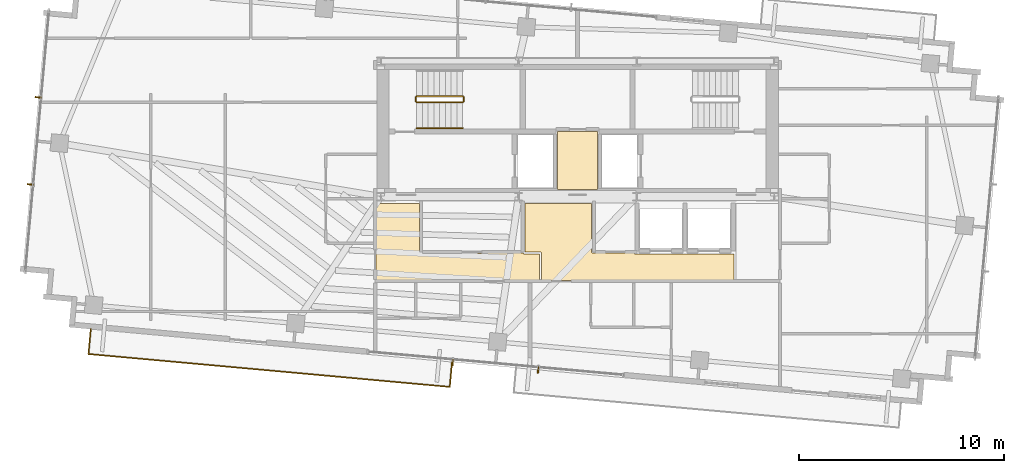
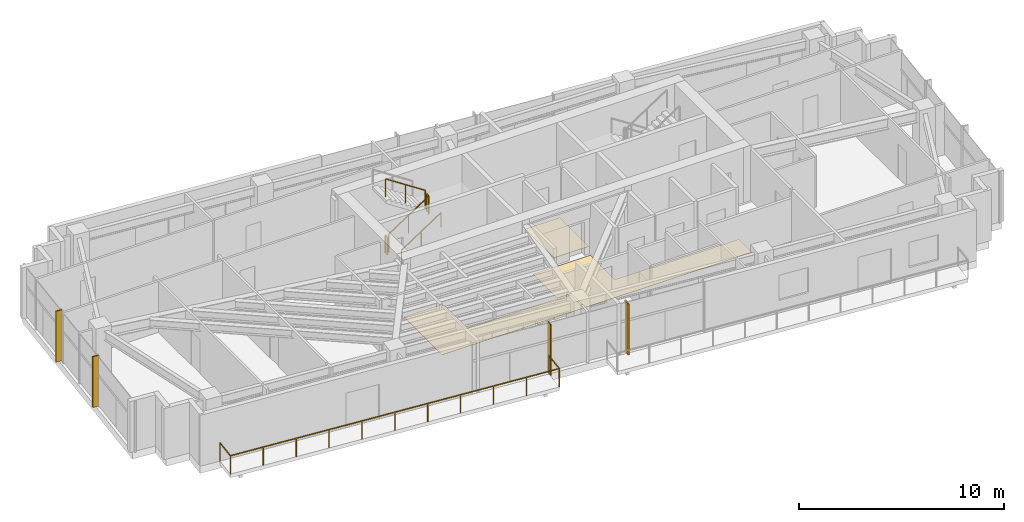
# One storey, part 20 of 22: 6 railings, 4 shading devices, 3 coverings.
"""IFC4 building model written with IfcOpenShell, lengths in metres."""

from ifc_helpers import new_model, si_unit, direction, frame, origin, origin_2d, place, context, subcontext, project, spatial, polyline, rectangle, outline, extrude, source, transform, mapped, material, layer, layer_set, type_object, type_shapes, element, save


model = new_model("IFC4")

# Units and contexts
model_context = context("Model", 3, precision=1e-05, world=origin(), true_north=direction((0.0, 1.0)))
body_context = subcontext(model_context, "Body", "Model", "MODEL_VIEW")
ifc_project = project(units=[si_unit("LENGTHUNIT", "METRE"), si_unit("AREAUNIT", "SQUARE_METRE"), si_unit("VOLUMEUNIT", "CUBIC_METRE"), si_unit("PLANEANGLEUNIT", "RADIAN"), si_unit("MASSUNIT", "GRAM", prefix="KILO")], contexts=[model_context])

# Site, building, storey
site_placement = place(None, origin())
site = spatial("IfcSite", under=ifc_project, at=site_placement, CompositionType="ELEMENT")
building_placement = place(site_placement, origin())
building = spatial("IfcBuilding", under=site, at=building_placement, Name="Astriad Promenade Condominiums", CompositionType="ELEMENT")
storey_placement = place(building_placement, frame((0.0, 0.0, 216.60009765625)))
storey = spatial("IfcBuildingStorey", under=building, at=storey_placement, Name="L62", CompositionType="ELEMENT", Elevation=216.60009765625)

# Coverings
ifc_material_1 = material(Name="Polished Lakefront Terrazzo Flooring")
ifc_layer = layer(ifc_material_1, 0.02001953125)
ifc_layer_set = layer_set([ifc_layer], Name="Polished Lakefront Terrazzo Flooring")
covering_type = type_object("IfcCoveringType", Name="COV-FLOR-TERRAZZO-20", PredefinedType="FLOORING", material=ifc_layer_set)
covering_1_placement = place(storey_placement, origin())
element("IfcCovering", 1, at=covering_1_placement, inside=storey, type_object=covering_type, Name="FLR-L62-CSL", PredefinedType="FLOORING", context=body_context, shape_type="SweptSolid", body=[
    extrude(outline(polyline([(36.97998046875, 17.739990234375), (35.02001953125, 17.739990234375), (35.02001953125, 20.580078125), (36.97998046875, 20.580078125), (36.97998046875, 17.739990234375)])), origin(), (0.0, 0.0, 1.0), 0.02001953125),
])
covering_2_placement = place(storey_placement, origin())
element("IfcCovering", 2, at=covering_2_placement, inside=storey, type_object=covering_type, Name="FLR-L62-LLB", PredefinedType="FLOORING", context=body_context, shape_type="SweptSolid", body=[
    extrude(outline(polyline([(43.639892578125, 14.610107421875), (43.639892578125, 13.320068359375), (34.239990234375, 13.320068359375), (34.239990234375, 14.64990234375), (34.23974609375, 14.65380859375), (34.2392578125, 14.65771484375), (34.23828125, 14.66162109375), (34.237060546875, 14.665283203125), (34.2353515625, 14.6689453125), (34.2333984375, 14.672119140625), (34.23095703125, 14.67529296875), (34.228271484375, 14.67822265625), (34.225341796875, 14.680908203125), (34.22216796875, 14.683349609375), (34.218994140625, 14.685302734375), (34.21533203125, 14.68701171875), (34.211669921875, 14.688232421875), (34.207763671875, 14.689208984375), (34.203857421875, 14.689697265625), (34.199951171875, 14.68994140625), (33.43994140625, 14.68994140625), (33.43994140625, 17.06005859375), (36.679931640625, 17.06005859375), (36.679931640625, 14.699951171875), (36.68017578125, 14.696044921875), (36.680908203125, 14.692138671875), (36.681640625, 14.6884765625), (36.68310546875, 14.684814453125), (36.684814453125, 14.68115234375), (36.686767578125, 14.677734375), (36.689208984375, 14.674560546875), (36.691650390625, 14.671630859375), (36.694580078125, 14.669189453125), (36.69775390625, 14.666748046875), (36.701171875, 14.664794921875), (36.70458984375, 14.6630859375), (36.70849609375, 14.66162109375), (36.712158203125, 14.660888671875), (36.716064453125, 14.66015625), (36.719970703125, 14.659912109375), (38.760009765625, 14.659912109375), (38.760009765625, 14.64990234375), (38.76025390625, 14.64599609375), (38.7607421875, 14.64208984375), (38.76171875, 14.638427734375), (38.762939453125, 14.634765625), (38.7646484375, 14.631103515625), (38.7666015625, 14.627685546875), (38.76904296875, 14.62451171875), (38.771728515625, 14.62158203125), (38.774658203125, 14.619140625), (38.77783203125, 14.61669921875), (38.781005859375, 14.61474609375), (38.78466796875, 14.613037109375), (38.788330078125, 14.61181640625), (38.792236328125, 14.61083984375), (38.796142578125, 14.610107421875), (38.800048828125, 14.610107421875), (43.639892578125, 14.610107421875)])), origin(), (0.0, 0.0, 1.0), 0.02001953125),
])
covering_3_placement = place(storey_placement, origin())
element("IfcCovering", 3, at=covering_3_placement, inside=storey, type_object=covering_type, Name="FLR-L62-COR-2", PredefinedType="FLOORING", context=body_context, shape_type="SweptSolid", body=[
    extrude(outline(polyline([(26.159912109375, 13.320068359375), (26.159912109375, 17.06005859375), (28.280029296875, 17.06005859375), (28.280029296875, 14.699951171875), (28.2802734375, 14.696044921875), (28.28076171875, 14.692138671875), (28.28173828125, 14.6884765625), (28.282958984375, 14.684814453125), (28.28466796875, 14.68115234375), (28.28662109375, 14.677734375), (28.2890625, 14.674560546875), (28.291748046875, 14.671630859375), (28.294677734375, 14.669189453125), (28.2978515625, 14.666748046875), (28.301025390625, 14.664794921875), (28.3046875, 14.6630859375), (28.308349609375, 14.66162109375), (28.312255859375, 14.660888671875), (28.316162109375, 14.66015625), (28.320068359375, 14.659912109375), (33.35009765625, 14.659912109375), (33.35009765625, 14.64892578125), (33.35009765625, 14.64501953125), (33.350830078125, 14.64111328125), (33.35107421875, 14.64013671875), (33.351318359375, 14.639404296875), (33.351318359375, 14.638427734375), (33.352294921875, 14.634521484375), (33.353759765625, 14.630859375), (33.3544921875, 14.629150390625), (33.356201171875, 14.6259765625), (33.356689453125, 14.625), (33.35888671875, 14.62158203125), (33.3603515625, 14.61962890625), (33.36083984375, 14.618896484375), (33.361083984375, 14.61865234375), (33.361328125, 14.618408203125), (33.361572265625, 14.617919921875), (33.36328125, 14.615966796875), (33.365966796875, 14.61328125), (33.367919921875, 14.611572265625), (33.368408203125, 14.611328125), (33.36865234375, 14.611083984375), (33.368896484375, 14.61083984375), (33.36962890625, 14.6103515625), (33.37158203125, 14.60888671875), (33.375, 14.606689453125), (33.3759765625, 14.606201171875), (33.379150390625, 14.6044921875), (33.3798828125, 14.604248046875), (33.380859375, 14.603759765625), (33.384521484375, 14.602294921875), (33.388427734375, 14.601318359375), (33.389404296875, 14.601318359375), (33.39013671875, 14.60107421875), (33.39111328125, 14.600830078125), (33.39501953125, 14.60009765625), (33.39892578125, 14.60009765625), (34.14990234375, 14.60009765625), (34.14990234375, 13.320068359375), (26.159912109375, 13.320068359375)])), origin(), (0.0, 0.0, 1.0), 0.02001953125),
])

# Shading devices
ifc_material_2 = material(Name="Anodised aluminium 6063-T6 Black Fin", Category="aluminium")
shading_device_type = type_object("IfcShadingDeviceType", Name="FIN-BLACK-260", PredefinedType="USERDEFINED", material=ifc_material_2)
shared_shape_1 = source(origin(), body_context, "Body", "SweptSolid", [
    extrude(rectangle(XDim=0.06494140625, YDim=0.320068359375, at=origin_2d()), origin(), (0.0, 0.0, 1.0), 3.0400390625),
])
type_shapes(shading_device_type, [shared_shape_1])
for number, where, z_axis, x_axis, name in (
    (4, (9.293212890625, 17.9970703125, 0.0), (0.0, 0.0, 1.0), (0.090632580198, 0.995884398616, 0.0), "CW-L62-W-FIN-01"),
    (5, (9.6796875, 22.246337890625, 0.0), (0.0, 0.0, 1.0), (0.090632580198, 0.995884398616, 0.0), "CW-L62-W-FIN-02"),
    (6, (34.073974609375, 8.937255859375, 0.0), (0.0, 0.0, 1.0), (-0.995884398616, 0.090632580198, 0.0), "CW-L62-S-FIN-01"),
    (7, (29.9111328125, 9.316162109375, 0.0), (0.0, 0.0, 1.0), (-0.995884398616, 0.090632580198, 0.0), "CW-L62-S-FIN-02"),
):
    element("IfcShadingDevice", number, at=place(storey_placement, frame(where, z_axis=z_axis, x_axis=x_axis)), inside=storey, type_object=shading_device_type, Name=name, ObjectType="FIN", PredefinedType="USERDEFINED", context=body_context, shape_type="MappedRepresentation", body=[
        mapped(shared_shape_1, transform((0.0, 0.0, 0.0), scale=1.0)),
    ])

# Railings
ifc_material_3 = material(Name="Laminated Glass and Stainless Steel Balustrade", Category="steel")
railing_type_1 = type_object("IfcRailingType", Name="GRD-BALC-1120", PredefinedType="BALUSTRADE", material=ifc_material_3)
shared_shape_2 = source(origin(), body_context, "Body", "SweptSolid", [
    extrude(rectangle(XDim=0.048095703125, YDim=0.048095703125, at=origin_2d()), frame((0.0, 0.0, 1.09619140625), z_axis=(-0.090643994769, -0.995883359743, 0.0), x_axis=(0.995883359743, -0.090643994769, 0.0)), (0.0, 0.0, 1.0), 1.22021484375),
    extrude(rectangle(XDim=0.048095703125, YDim=0.048095703125, at=origin_2d()), frame((-0.110595703125, -1.215087890625, 1.09619140625), z_axis=(0.995884952321, -0.0906264958, 0.0), x_axis=(0.0906264958, 0.995884952321, 0.0)), (0.0, 0.0, 1.0), 17.70703125),
    extrude(rectangle(XDim=0.048095703125, YDim=0.048095703125, at=origin_2d()), frame((17.523681640625, -2.81982421875, 1.09619140625), z_axis=(0.090445536319, 0.995901403232, 0.0), x_axis=(-0.995901403232, 0.090445536319, 0.0)), (0.0, 0.0, 1.0), 1.219970703125),
    extrude(rectangle(XDim=0.0419921875, YDim=0.0419921875, at=origin_2d()), origin(), (0.0, 0.0, 1.0), 1.072021484375),
    extrude(rectangle(XDim=0.0419921875, YDim=0.0419921875, at=origin_2d()), frame((-0.110595703125, -1.215087890625, 0.0)), (0.0, 0.0, 1.0), 1.072021484375),
    extrude(rectangle(XDim=0.0419921875, YDim=0.0419921875, at=origin_2d()), frame((1.65283203125, -1.37548828125, 0.0)), (0.0, 0.0, 1.0), 1.072021484375),
    extrude(rectangle(XDim=0.0419921875, YDim=0.0419921875, at=origin_2d()), frame((3.416259765625, -1.5361328125, 0.0)), (0.0, 0.0, 1.0), 1.072021484375),
    extrude(rectangle(XDim=0.0419921875, YDim=0.0419921875, at=origin_2d()), frame((5.1796875, -1.696533203125, 0.0)), (0.0, 0.0, 1.0), 1.072021484375),
    extrude(rectangle(XDim=0.0419921875, YDim=0.0419921875, at=origin_2d()), frame((6.943115234375, -1.85693359375, 0.0)), (0.0, 0.0, 1.0), 1.072021484375),
    extrude(rectangle(XDim=0.0419921875, YDim=0.0419921875, at=origin_2d()), frame((8.70654296875, -2.017578125, 0.0)), (0.0, 0.0, 1.0), 1.072021484375),
    extrude(rectangle(XDim=0.0419921875, YDim=0.0419921875, at=origin_2d()), frame((10.469970703125, -2.177978515625, 0.0)), (0.0, 0.0, 1.0), 1.072021484375),
    extrude(rectangle(XDim=0.0419921875, YDim=0.0419921875, at=origin_2d()), frame((12.2333984375, -2.33837890625, 0.0)), (0.0, 0.0, 1.0), 1.072021484375),
    extrude(rectangle(XDim=0.0419921875, YDim=0.0419921875, at=origin_2d()), frame((13.996826171875, -2.498779296875, 0.0)), (0.0, 0.0, 1.0), 1.072021484375),
    extrude(rectangle(XDim=0.0419921875, YDim=0.0419921875, at=origin_2d()), frame((15.76025390625, -2.659423828125, 0.0)), (0.0, 0.0, 1.0), 1.072021484375),
    extrude(rectangle(XDim=0.0419921875, YDim=0.0419921875, at=origin_2d()), frame((17.523681640625, -2.81982421875, 0.0)), (0.0, 0.0, 1.0), 1.072021484375),
    extrude(rectangle(XDim=0.0419921875, YDim=0.0419921875, at=origin_2d()), frame((17.634033203125, -1.604736328125, 0.0)), (0.0, 0.0, 1.0), 1.072021484375),
])
type_shapes(railing_type_1, [shared_shape_2])
railing_1_placement = place(storey_placement, frame((12.239990234375, 10.934326171875, 0.0)))
element("IfcRailing", 8, at=railing_1_placement, inside=storey, type_object=railing_type_1, Name="GRD-BALC-L62-SW", PredefinedType="BALUSTRADE", context=body_context, shape_type="MappedRepresentation", body=[
    mapped(shared_shape_2, transform((0.0, 0.0, 0.0), scale=1.0)),
])
ifc_material_4 = material(Name="Painted Galvanised Steel Guardrail", Category="steel")
railing_type_2 = type_object("IfcRailingType", Name="GRD-STAIR-1100", PredefinedType="GUARDRAIL", material=ifc_material_4)
shared_shape_3 = source(origin(), body_context, "Body", "SweptSolid", [
    extrude(rectangle(XDim=0.048095703125, YDim=0.048095703125, at=origin_2d()), frame((0.0, 0.0, 1.076171875), z_axis=(0.0, 1.0, 0.0), x_axis=(-1.0, 0.0, 0.0)), (0.0, 0.0, 1.0), 0.199951171875),
    extrude(rectangle(XDim=0.0419921875, YDim=0.0419921875, at=origin_2d()), origin(), (0.0, 0.0, 1.0), 1.052001953125),
    extrude(rectangle(XDim=0.0419921875, YDim=0.0419921875, at=origin_2d()), frame((0.0, 0.199951171875, 0.0)), (0.0, 0.0, 1.0), 1.052001953125),
])
for number, where, name in (
    (9, (30.43994140625, 22.050048828125, 1.64990234375), "L62 ST-1 stair guard 2"),
    (10, (28.10009765625, 22.050048828125, 0.0), "L62 ST-1 stair guard 4"),
):
    element("IfcRailing", number, at=place(storey_placement, frame(where)), inside=storey, type_object=railing_type_2, Name=name, PredefinedType="GUARDRAIL", context=body_context, shape_type="MappedRepresentation", body=[
        mapped(shared_shape_3, transform((0.0, 0.0, 0.0), scale=1.0)),
    ])
shared_shape_4 = source(origin(), body_context, "Body", "SweptSolid", [
    extrude(rectangle(XDim=0.048095703125, YDim=0.048095703125, at=origin_2d()), frame((0.0, 0.0, 1.076171875), z_axis=(0.836636935527, 0.0, 0.547757827979), x_axis=(0.0, 1.0, 0.0)), (0.0, 0.0, 1.0), 2.677490234375),
    extrude(rectangle(XDim=0.0419921875, YDim=0.0419921875, at=origin_2d()), origin(), (0.0, 0.0, 1.0), 1.052001953125),
    extrude(rectangle(XDim=0.0419921875, YDim=0.0419921875, at=origin_2d()), frame((1.1201171875, 0.0, 0.7333984375)), (0.0, 0.0, 1.0), 1.052001953125),
    extrude(rectangle(XDim=0.0419921875, YDim=0.0419921875, at=origin_2d()), frame((2.239990234375, 0.0, 1.466552734375)), (0.0, 0.0, 1.0), 1.052001953125),
])
railing_2_placement = place(storey_placement, frame((28.14990234375, 22.0, 0.183349609375)))
element("IfcRailing", 11, at=railing_2_placement, inside=storey, type_object=railing_type_2, Name="L62 ST-1 stair guard 1", PredefinedType="GUARDRAIL", context=body_context, shape_type="MappedRepresentation", body=[
    mapped(shared_shape_4, transform((0.0, 0.0, 0.0), scale=1.0)),
])
shared_shape_5 = source(origin(), body_context, "Body", "SweptSolid", [
    extrude(rectangle(XDim=0.048095703125, YDim=0.048095703125, at=origin_2d()), frame((0.0, 0.0, 1.076171875), z_axis=(-0.836636935527, 0.0, 0.547757827979), x_axis=(0.0, -1.0, 0.0)), (0.0, 0.0, 1.0), 2.677490234375),
    extrude(rectangle(XDim=0.0419921875, YDim=0.0419921875, at=origin_2d()), origin(), (0.0, 0.0, 1.0), 1.052001953125),
    extrude(rectangle(XDim=0.0419921875, YDim=0.0419921875, at=origin_2d()), frame((-1.1201171875, 0.0, 0.7333984375)), (0.0, 0.0, 1.0), 1.052001953125),
    extrude(rectangle(XDim=0.0419921875, YDim=0.0419921875, at=origin_2d()), frame((-2.239990234375, 0.0, 1.466552734375)), (0.0, 0.0, 1.0), 1.052001953125),
])
type_shapes(railing_type_2, [shared_shape_3, shared_shape_4, shared_shape_5])
railing_3_placement = place(storey_placement, frame((30.389892578125, 22.300048828125, 1.833251953125)))
element("IfcRailing", 12, at=railing_3_placement, inside=storey, type_object=railing_type_2, Name="L62 ST-1 stair guard 3", PredefinedType="GUARDRAIL", context=body_context, shape_type="MappedRepresentation", body=[
    mapped(shared_shape_5, transform((0.0, 0.0, 0.0), scale=1.0)),
])
ifc_material_5 = material(Name="Brushed Stainless Steel Handrail", Category="steel")
railing_type_3 = type_object("IfcRailingType", Name="HRL-STAIR-920", PredefinedType="HANDRAIL", material=ifc_material_5)
shared_shape_6 = source(origin(), body_context, "Body", "SweptSolid", [
    extrude(rectangle(XDim=0.048095703125, YDim=0.048095703125, at=origin_2d()), frame((0.0, 0.0, 0.8759765625), z_axis=(0.836636935527, 0.0, 0.547757827979), x_axis=(0.0, 1.0, 0.0)), (0.0, 0.0, 1.0), 2.677490234375),
    extrude(rectangle(XDim=0.0419921875, YDim=0.0419921875, at=origin_2d()), origin(), (0.0, 0.0, 1.0), 0.851806640625),
    extrude(rectangle(XDim=0.0419921875, YDim=0.0419921875, at=origin_2d()), frame((1.1201171875, 0.0, 0.7333984375)), (0.0, 0.0, 1.0), 0.851806640625),
    extrude(rectangle(XDim=0.0419921875, YDim=0.0419921875, at=origin_2d()), frame((2.239990234375, 0.0, 1.466552734375)), (0.0, 0.0, 1.0), 0.851806640625),
])
type_shapes(railing_type_3, [shared_shape_6])
railing_4_placement = place(storey_placement, frame((28.14990234375, 20.75, 0.183349609375)))
element("IfcRailing", 13, at=railing_4_placement, inside=storey, type_object=railing_type_3, Name="L62 ST-1 stair handrail 1", PredefinedType="HANDRAIL", context=body_context, shape_type="MappedRepresentation", body=[
    mapped(shared_shape_6, transform((0.0, 0.0, 0.0), scale=1.0)),
])

save(model, "model.ifc")
